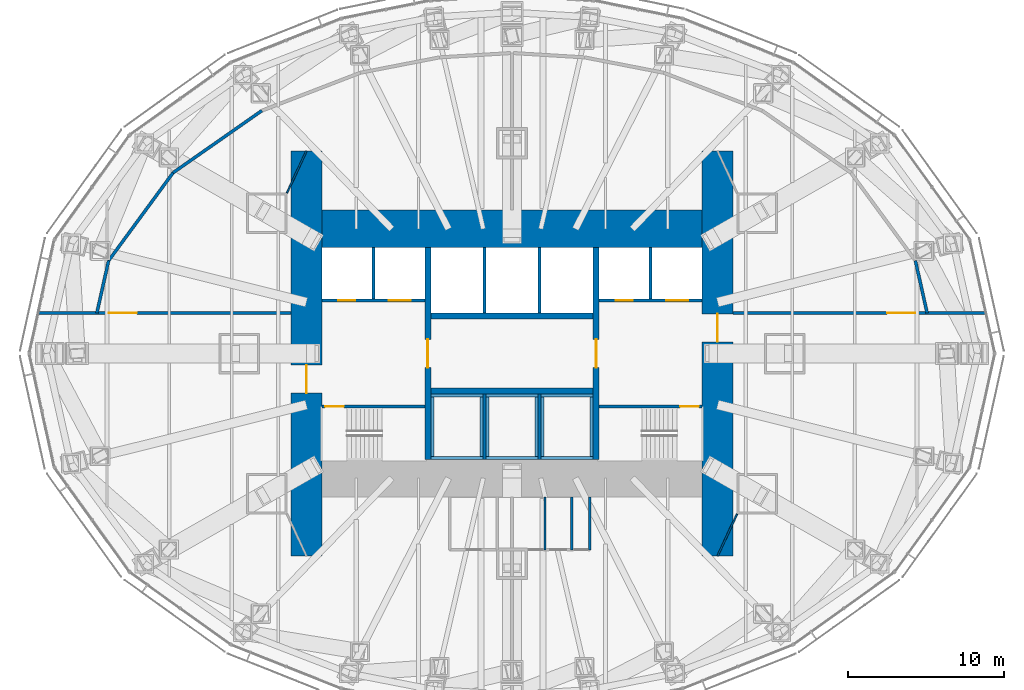
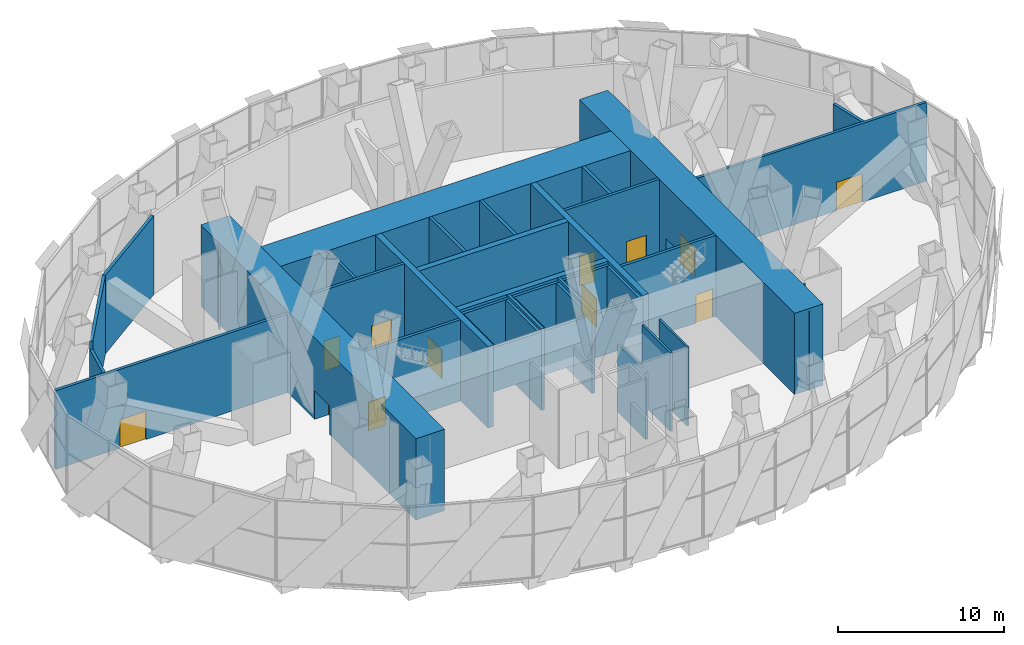
# One storey, part 15 of 21: 40 walls, 12 doors, 12 openings.
"""IFC4 building model written with IfcOpenShell, lengths in metres."""

from ifc_helpers import new_model, si_unit, direction, frame, frame_2d, origin, place, context, subcontext, project, spatial, rectangle, extrude, material, layer, layer_set, type_object, element, fill, save


model = new_model("IFC4")

# Units and contexts
model_context = context("Model", 3, precision=1e-05, world=origin(), true_north=direction((0.0, 1.0)))
body_context = subcontext(model_context, "Body", "Model", "MODEL_VIEW")
ifc_project = project(units=[si_unit("LENGTHUNIT", "METRE"), si_unit("AREAUNIT", "SQUARE_METRE"), si_unit("VOLUMEUNIT", "CUBIC_METRE"), si_unit("PLANEANGLEUNIT", "RADIAN"), si_unit("MASSUNIT", "GRAM", prefix="KILO")], contexts=[model_context])

# Site, building, storey
site_placement = place(None, origin())
site = spatial("IfcSite", under=ifc_project, at=site_placement, CompositionType="ELEMENT")
building_placement = place(site_placement, origin())
building = spatial("IfcBuilding", under=site, at=building_placement, Name="Lantaw Convention Tower", CompositionType="ELEMENT")
storey_placement = place(building_placement, frame((0.0, 0.0, 105.39990234375)))
storey = spatial("IfcBuildingStorey", under=building, at=storey_placement, Name="L25", CompositionType="ELEMENT", Elevation=105.39990234375)

# Wall, opening, door
ifc_material_1 = material(Name="Concrete C60/75", Category="concrete")
ifc_layer_1 = layer(ifc_material_1, 0.199951171875)
ifc_layer_set_1 = layer_set([ifc_layer_1], Name="Core wall 200")
wall_type_1 = type_object("IfcWallType", Name="Core wall 200", PredefinedType="SHEAR", material=ifc_layer_set_1)
wall_1_placement = place(storey_placement, frame((5.60009765625, -3.39990234375, 0.0), z_axis=(0.0, 0.0, 1.0), x_axis=(1.0, 0.0, 0.0)))
wall_1 = element("IfcWall", 1, at=wall_1_placement, inside=storey, type_object=wall_type_1, Name="Core wall ES", PredefinedType="SHEAR", context=body_context, shape_type="SweptSolid", body=[
    extrude(rectangle(XDim=6.599853515625, YDim=0.199951171875, at=frame_2d((3.2998046875, 0.0))), origin(), (0.0, 0.0, 1.0), 6.0),
])
opening_1_placement = place(wall_1_placement, frame((5.199951171875, 0.0, 0.0)))
opening_1 = element("IfcOpeningElement", 2, at=opening_1_placement, cuts=wall_1, Name="Opening L25.03", PredefinedType="OPENING", context=body_context, shape_type="SweptSolid", body=[
    extrude(rectangle(XDim=1.199951171875, YDim=2.10009765625, at=frame_2d((0.60009765625, 1.050048828125))), frame((0.0, 0.10986328125, 0.0), z_axis=(0.0, -1.0, 0.0), x_axis=(1.0, 0.0, 0.0)), (0.0, 0.0, 1.0), 0.219970703125),
])
ifc_material_2 = material(Name="Steel, fire rated", Category="steel")
door_type_1 = type_object("IfcDoorType", Name="Stair door FD90", OperationType="SINGLE_SWING_RIGHT", PredefinedType="DOOR", material=ifc_material_2)
door_1_placement = place(opening_1_placement, origin())
door_1 = element("IfcDoor", 3, at=door_1_placement, inside=storey, type_object=door_type_1, Name="Exit stair door", OperationType="SINGLE_SWING_RIGHT", OverallHeight=2.10009765625, OverallWidth=1.199951171875, PredefinedType="DOOR", context=body_context, shape_type="SweptSolid", body=[
    extrude(rectangle(XDim=1.199951171875, YDim=2.10009765625, at=frame_2d((0.60009765625, 1.050048828125))), frame((0.0, 0.02490234375, 0.0), z_axis=(0.0, -1.0, 0.0), x_axis=(1.0, 0.0, 0.0)), (0.0, 0.0, 1.0), 0.050048828125),
])
fill(opening_1, door_1)

wall_2_placement = place(storey_placement, frame((-5.60009765625, -3.39990234375, 0.0), z_axis=(0.0, 0.0, 1.0), x_axis=(-1.0, 0.0, 0.0)))
wall_2 = element("IfcWall", 4, at=wall_2_placement, inside=storey, type_object=wall_type_1, Name="Core wall WS", PredefinedType="SHEAR", context=body_context, shape_type="SweptSolid", body=[
    extrude(rectangle(XDim=6.599853515625, YDim=0.199951171875, at=frame_2d((3.2998046875, 0.0))), origin(), (0.0, 0.0, 1.0), 6.0),
])
opening_2_placement = place(wall_2_placement, frame((5.199951171875, 0.0, 0.0)))
opening_2 = element("IfcOpeningElement", 5, at=opening_2_placement, cuts=wall_2, Name="Opening L25.04", PredefinedType="OPENING", context=body_context, shape_type="SweptSolid", body=[
    extrude(rectangle(XDim=1.199951171875, YDim=2.10009765625, at=frame_2d((0.60009765625, 1.050048828125))), frame((0.0, 0.10986328125, 0.0), z_axis=(0.0, -1.0, 0.0), x_axis=(1.0, 0.0, 0.0)), (0.0, 0.0, 1.0), 0.219970703125),
])
door_2_placement = place(opening_2_placement, origin())
door_2 = element("IfcDoor", 6, at=door_2_placement, inside=storey, type_object=door_type_1, Name="Exit stair door", OperationType="SINGLE_SWING_RIGHT", OverallHeight=2.10009765625, OverallWidth=1.199951171875, PredefinedType="DOOR", context=body_context, shape_type="SweptSolid", body=[
    extrude(rectangle(XDim=1.199951171875, YDim=2.10009765625, at=frame_2d((0.60009765625, 1.050048828125))), frame((0.0, 0.02490234375, 0.0), z_axis=(0.0, -1.0, 0.0), x_axis=(1.0, 0.0, 0.0)), (0.0, 0.0, 1.0), 0.050048828125),
])
fill(opening_2, door_2)

ifc_layer_2 = layer(ifc_material_1, 2.0)
ifc_layer_set_2 = layer_set([ifc_layer_2], Name="Core wall 2000")
wall_type_2 = type_object("IfcWallType", Name="Core wall 2000", PredefinedType="SHEAR", material=ifc_layer_set_2)
wall_3_placement = place(storey_placement, frame((13.199951171875, -13.0, 0.0), z_axis=(0.0, 0.0, 1.0), x_axis=(0.0, 1.0, 0.0)))
wall_3 = element("IfcWall", 7, at=wall_3_placement, inside=storey, type_object=wall_type_2, Name="Core wall E", PredefinedType="SHEAR", context=body_context, shape_type="SweptSolid", body=[
    extrude(rectangle(XDim=26.0, YDim=2.0, at=frame_2d((13.0, 0.0))), origin(), (0.0, 0.0, 1.0), 6.0),
])
opening_3_placement = place(wall_3_placement, frame((13.75, 0.0, 0.0)))
opening_3 = element("IfcOpeningElement", 8, at=opening_3_placement, cuts=wall_3, Name="Opening L25.05", PredefinedType="OPENING", context=body_context, shape_type="SweptSolid", body=[
    extrude(rectangle(XDim=1.800048828125, YDim=2.10009765625, at=frame_2d((0.89990234375, 1.050048828125))), frame((0.0, 1.010009765625, 0.0), z_axis=(0.0, -1.0, 0.0), x_axis=(1.0, 0.0, 0.0)), (0.0, 0.0, 1.0), 2.02001953125),
])
door_type_2 = type_object("IfcDoorType", Name="Lobby double door FD90", OperationType="DOUBLE_DOOR_DOUBLE_SWING", PredefinedType="DOOR", material=ifc_material_2)
door_3_placement = place(opening_3_placement, origin())
door_3 = element("IfcDoor", 9, at=door_3_placement, inside=storey, type_object=door_type_2, Name="Firefighting lobby door", OperationType="DOUBLE_DOOR_DOUBLE_SWING", OverallHeight=2.10009765625, OverallWidth=1.800048828125, PredefinedType="DOOR", context=body_context, shape_type="SweptSolid", body=[
    extrude(rectangle(XDim=1.800048828125, YDim=2.10009765625, at=frame_2d((0.89990234375, 1.050048828125))), frame((0.0, 0.02490234375, 0.0), z_axis=(0.0, -1.0, 0.0), x_axis=(1.0, 0.0, 0.0)), (0.0, 0.0, 1.0), 0.050048828125),
])
fill(opening_3, door_3)

wall_4_placement = place(storey_placement, frame((-13.199951171875, 13.0, 0.0), z_axis=(0.0, 0.0, 1.0), x_axis=(0.0, -1.0, 0.0)))
wall_4 = element("IfcWall", 10, at=wall_4_placement, inside=storey, type_object=wall_type_2, Name="Core wall W", PredefinedType="SHEAR", context=body_context, shape_type="SweptSolid", body=[
    extrude(rectangle(XDim=26.0, YDim=2.0, at=frame_2d((13.0, 0.0))), origin(), (0.0, 0.0, 1.0), 6.0),
])
opening_4_placement = place(wall_4_placement, frame((13.75, 0.0, 0.0)))
opening_4 = element("IfcOpeningElement", 11, at=opening_4_placement, cuts=wall_4, Name="Opening L25.06", PredefinedType="OPENING", context=body_context, shape_type="SweptSolid", body=[
    extrude(rectangle(XDim=1.800048828125, YDim=2.10009765625, at=frame_2d((0.89990234375, 1.050048828125))), frame((0.0, 1.010009765625, 0.0), z_axis=(0.0, -1.0, 0.0), x_axis=(1.0, 0.0, 0.0)), (0.0, 0.0, 1.0), 2.02001953125),
])
door_4_placement = place(opening_4_placement, origin())
door_4 = element("IfcDoor", 12, at=door_4_placement, inside=storey, type_object=door_type_2, Name="Firefighting lobby door", OperationType="DOUBLE_DOOR_DOUBLE_SWING", OverallHeight=2.10009765625, OverallWidth=1.800048828125, PredefinedType="DOOR", context=body_context, shape_type="SweptSolid", body=[
    extrude(rectangle(XDim=1.800048828125, YDim=2.10009765625, at=frame_2d((0.89990234375, 1.050048828125))), frame((0.0, 0.02490234375, 0.0), z_axis=(0.0, -1.0, 0.0), x_axis=(1.0, 0.0, 0.0)), (0.0, 0.0, 1.0), 0.050048828125),
])
fill(opening_4, door_4)

# Wall
ifc_layer_3 = layer(ifc_material_1, 2.39990234375)
ifc_layer_set_3 = layer_set([ifc_layer_3], Name="Core wall 2400")
wall_type_3 = type_object("IfcWallType", Name="Core wall 2400", PredefinedType="SHEAR", material=ifc_layer_set_3)
wall_5_placement = place(storey_placement, frame((12.199951171875, 8.0, 0.0), z_axis=(0.0, 0.0, 1.0), x_axis=(-1.0, 0.0, 0.0)))
element("IfcWall", 13, at=wall_5_placement, inside=storey, type_object=wall_type_3, Name="Core wall N", PredefinedType="SHEAR", context=body_context, shape_type="SweptSolid", body=[
    extrude(rectangle(XDim=24.39990234375, YDim=2.39990234375, at=frame_2d((12.199951171875, 0.0))), origin(), (0.0, 0.0, 1.0), 6.0),
])

# Wall, opening, door
ifc_layer_4 = layer(ifc_material_1, 0.39990234375)
ifc_layer_set_4 = layer_set([ifc_layer_4], Name="Core wall 400")
wall_type_4 = type_object("IfcWallType", Name="Core wall 400", PredefinedType="SHEAR", material=ifc_layer_set_4)
wall_6_placement = place(storey_placement, frame((5.39990234375, -6.800048828125, 0.0), z_axis=(0.0, 0.0, 1.0), x_axis=(0.0, 1.0, 0.0)))
wall_6 = element("IfcWall", 14, at=wall_6_placement, inside=storey, type_object=wall_type_4, Name="Core wall XE", PredefinedType="SHEAR", context=body_context, shape_type="SweptSolid", body=[
    extrude(rectangle(XDim=13.60009765625, YDim=0.39990234375, at=frame_2d((6.800048828125, 0.0))), origin(), (0.0, 0.0, 1.0), 6.0),
])
opening_5_placement = place(wall_6_placement, frame((5.89990234375, 0.0, 0.0)))
opening_5 = element("IfcOpeningElement", 15, at=opening_5_placement, cuts=wall_6, Name="Opening L25.01", PredefinedType="OPENING", context=body_context, shape_type="SweptSolid", body=[
    extrude(rectangle(XDim=1.800048828125, YDim=2.10009765625, at=frame_2d((0.89990234375, 1.050048828125))), frame((0.0, 0.2099609375, 0.0), z_axis=(0.0, -1.0, 0.0), x_axis=(1.0, 0.0, 0.0)), (0.0, 0.0, 1.0), 0.419921875),
])
door_5_placement = place(opening_5_placement, origin())
door_5 = element("IfcDoor", 16, at=door_5_placement, inside=storey, type_object=door_type_2, Name="Lift lobby door", OperationType="DOUBLE_DOOR_DOUBLE_SWING", OverallHeight=2.10009765625, OverallWidth=1.800048828125, PredefinedType="DOOR", context=body_context, shape_type="SweptSolid", body=[
    extrude(rectangle(XDim=1.800048828125, YDim=2.10009765625, at=frame_2d((0.89990234375, 1.050048828125))), frame((0.0, 0.02490234375, 0.0), z_axis=(0.0, -1.0, 0.0), x_axis=(1.0, 0.0, 0.0)), (0.0, 0.0, 1.0), 0.050048828125),
])
fill(opening_5, door_5)

wall_7_placement = place(storey_placement, frame((-5.39990234375, 6.800048828125, 0.0), z_axis=(0.0, 0.0, 1.0), x_axis=(0.0, -1.0, 0.0)))
wall_7 = element("IfcWall", 17, at=wall_7_placement, inside=storey, type_object=wall_type_4, Name="Core wall XW", PredefinedType="SHEAR", context=body_context, shape_type="SweptSolid", body=[
    extrude(rectangle(XDim=13.60009765625, YDim=0.39990234375, at=frame_2d((6.800048828125, 0.0))), origin(), (0.0, 0.0, 1.0), 6.0),
])
opening_6_placement = place(wall_7_placement, frame((5.89990234375, 0.0, 0.0)))
opening_6 = element("IfcOpeningElement", 18, at=opening_6_placement, cuts=wall_7, Name="Opening L25.02", PredefinedType="OPENING", context=body_context, shape_type="SweptSolid", body=[
    extrude(rectangle(XDim=1.800048828125, YDim=2.10009765625, at=frame_2d((0.89990234375, 1.050048828125))), frame((0.0, 0.2099609375, 0.0), z_axis=(0.0, -1.0, 0.0), x_axis=(1.0, 0.0, 0.0)), (0.0, 0.0, 1.0), 0.419921875),
])
door_6_placement = place(opening_6_placement, origin())
door_6 = element("IfcDoor", 19, at=door_6_placement, inside=storey, type_object=door_type_2, Name="Lift lobby door", OperationType="DOUBLE_DOOR_DOUBLE_SWING", OverallHeight=2.10009765625, OverallWidth=1.800048828125, PredefinedType="DOOR", context=body_context, shape_type="SweptSolid", body=[
    extrude(rectangle(XDim=1.800048828125, YDim=2.10009765625, at=frame_2d((0.89990234375, 1.050048828125))), frame((0.0, 0.02490234375, 0.0), z_axis=(0.0, -1.0, 0.0), x_axis=(1.0, 0.0, 0.0)), (0.0, 0.0, 1.0), 0.050048828125),
])
fill(opening_6, door_6)

# Walls
for number, where, z_axis, x_axis, name in (
    (20, (-5.199951171875, -2.39990234375, 0.0), (0.0, 0.0, 1.0), (1.0, 0.0, 0.0), "Core wall BS"),
    (21, (5.199951171875, 2.39990234375, 0.0), (0.0, 0.0, 1.0), (-1.0, 0.0, 0.0), "Core wall BN"),
):
    element("IfcWall", number, at=place(storey_placement, frame(where, z_axis=z_axis, x_axis=x_axis)), inside=storey, type_object=wall_type_4, Name=name, PredefinedType="SHEAR", context=body_context, shape_type="SweptSolid", body=[
        extrude(rectangle(XDim=10.39990234375, YDim=0.39990234375, at=frame_2d((5.199951171875, 0.0))), origin(), (0.0, 0.0, 1.0), 6.0),
    ])

# Wall, opening, door
ifc_material_3 = material(Name="Concrete blockwork, fire rated", Category="masonry")
ifc_layer_5 = layer(ifc_material_3, 0.199951171875)
ifc_layer_set_5 = layer_set([ifc_layer_5], Name="Fire wall 200 EI 120")
wall_type_5 = type_object("IfcWallType", Name="Fire wall 200 EI 120", PredefinedType="SOLIDWALL", material=ifc_layer_set_5)
wall_8_placement = place(storey_placement, frame((-14.199951171875, 2.60009765625, 0.0), z_axis=(0.0, 0.0, 1.0), x_axis=(-1.0, 0.0, 0.0)))
wall_8 = element("IfcWall", 22, at=wall_8_placement, inside=storey, type_object=wall_type_5, Name="Fire wall 200", PredefinedType="SOLIDWALL", context=body_context, shape_type="SweptSolid", body=[
    extrude(rectangle(XDim=16.171142578125, YDim=0.199951171875, at=frame_2d((8.08544921875, 0.0))), origin(), (0.0, 0.0, 1.0), 5.800048828125),
])
opening_7_placement = place(wall_8_placement, frame((9.87939453125, 0.0, 0.0)))
opening_7 = element("IfcOpeningElement", 23, at=opening_7_placement, cuts=wall_8, Name="Opening L25.15", PredefinedType="OPENING", context=body_context, shape_type="SweptSolid", body=[
    extrude(rectangle(XDim=1.800048828125, YDim=2.10009765625, at=frame_2d((0.89990234375, 1.050048828125))), frame((0.0, 0.10986328125, 0.0), z_axis=(0.0, -1.0, 0.0), x_axis=(1.0, 0.0, 0.0)), (0.0, 0.0, 1.0), 0.219970703125),
])
door_type_3 = type_object("IfcDoorType", Name="Plant room double door FD90", OperationType="DOUBLE_DOOR_DOUBLE_SWING", PredefinedType="DOOR", material=ifc_material_2)
door_7_placement = place(opening_7_placement, origin())
door_7 = element("IfcDoor", 24, at=door_7_placement, inside=storey, type_object=door_type_3, Name="Refuge area door", OperationType="DOUBLE_DOOR_DOUBLE_SWING", OverallHeight=2.10009765625, OverallWidth=1.800048828125, PredefinedType="DOOR", context=body_context, shape_type="SweptSolid", body=[
    extrude(rectangle(XDim=1.800048828125, YDim=2.10009765625, at=frame_2d((0.89990234375, 1.050048828125))), frame((0.0, 0.02490234375, 0.0), z_axis=(0.0, -1.0, 0.0), x_axis=(1.0, 0.0, 0.0)), (0.0, 0.0, 1.0), 0.050048828125),
])
fill(opening_7, door_7)

wall_9_placement = place(storey_placement, frame((14.199951171875, 2.60009765625, 0.0), z_axis=(0.0, 0.0, 1.0), x_axis=(1.0, 0.0, 0.0)))
wall_9 = element("IfcWall", 25, at=wall_9_placement, inside=storey, type_object=wall_type_5, Name="Fire wall 200", PredefinedType="SOLIDWALL", context=body_context, shape_type="SweptSolid", body=[
    extrude(rectangle(XDim=16.171142578125, YDim=0.199951171875, at=frame_2d((8.08544921875, 0.0))), origin(), (0.0, 0.0, 1.0), 5.800048828125),
])
opening_8_placement = place(wall_9_placement, frame((9.87939453125, 0.0, 0.0)))
opening_8 = element("IfcOpeningElement", 26, at=opening_8_placement, cuts=wall_9, Name="Opening L25.16", PredefinedType="OPENING", context=body_context, shape_type="SweptSolid", body=[
    extrude(rectangle(XDim=1.800048828125, YDim=2.10009765625, at=frame_2d((0.89990234375, 1.050048828125))), frame((0.0, 0.10986328125, 0.0), z_axis=(0.0, -1.0, 0.0), x_axis=(1.0, 0.0, 0.0)), (0.0, 0.0, 1.0), 0.219970703125),
])
door_8_placement = place(opening_8_placement, origin())
door_8 = element("IfcDoor", 27, at=door_8_placement, inside=storey, type_object=door_type_3, Name="Refuge area door", OperationType="DOUBLE_DOOR_DOUBLE_SWING", OverallHeight=2.10009765625, OverallWidth=1.800048828125, PredefinedType="DOOR", context=body_context, shape_type="SweptSolid", body=[
    extrude(rectangle(XDim=1.800048828125, YDim=2.10009765625, at=frame_2d((0.89990234375, 1.050048828125))), frame((0.0, 0.02490234375, 0.0), z_axis=(0.0, -1.0, 0.0), x_axis=(1.0, 0.0, 0.0)), (0.0, 0.0, 1.0), 0.050048828125),
])
fill(opening_8, door_8)

# Walls
ifc_material_4 = material(Name="Concrete C40/50", Category="concrete")
ifc_layer_6 = layer(ifc_material_4, 0.199951171875)
ifc_layer_set_6 = layer_set([ifc_layer_6], Name="Lift pit wall 200")
wall_type_6 = type_object("IfcWallType", Name="Lift pit wall 200", PredefinedType="SOLIDWALL", material=ifc_layer_set_6)
wall_10_placement = place(storey_placement, frame((-5.199951171875, -6.699951171875, 2.550048828125), z_axis=(0.0, 0.0, 1.0), x_axis=(1.0, 0.0, 0.0)))
element("IfcWall", 28, at=wall_10_placement, inside=storey, type_object=wall_type_6, Name="Lift pit wall", PredefinedType="SOLIDWALL", context=body_context, shape_type="SweptSolid", body=[
    extrude(rectangle(XDim=3.333251953125, YDim=0.199951171875, at=frame_2d((1.66650390625, 0.0))), origin(), (0.0, 0.0, 1.0), 3.25),
])
wall_11_placement = place(storey_placement, frame((-1.966552734375, -6.60009765625, 2.550048828125), z_axis=(0.0, 0.0, 1.0), x_axis=(0.0, 1.0, 0.0)))
element("IfcWall", 29, at=wall_11_placement, inside=storey, type_object=wall_type_6, Name="Lift pit wall", PredefinedType="SOLIDWALL", context=body_context, shape_type="SweptSolid", body=[
    extrude(rectangle(XDim=3.800048828125, YDim=0.199951171875, at=frame_2d((1.89990234375, 0.0))), origin(), (0.0, 0.0, 1.0), 3.25),
])
wall_12_placement = place(storey_placement, frame((-1.86669921875, -2.699951171875, 2.550048828125), z_axis=(0.0, 0.0, 1.0), x_axis=(-1.0, 0.0, 0.0)))
element("IfcWall", 30, at=wall_12_placement, inside=storey, type_object=wall_type_6, Name="Lift pit wall", PredefinedType="SOLIDWALL", context=body_context, shape_type="SweptSolid", body=[
    extrude(rectangle(XDim=3.333251953125, YDim=0.199951171875, at=frame_2d((1.66650390625, 0.0))), origin(), (0.0, 0.0, 1.0), 3.25),
])
wall_13_placement = place(storey_placement, frame((-5.10009765625, -2.800048828125, 2.550048828125), z_axis=(0.0, 0.0, 1.0), x_axis=(0.0, -1.0, 0.0)))
element("IfcWall", 31, at=wall_13_placement, inside=storey, type_object=wall_type_6, Name="Lift pit wall", PredefinedType="SOLIDWALL", context=body_context, shape_type="SweptSolid", body=[
    extrude(rectangle(XDim=3.800048828125, YDim=0.199951171875, at=frame_2d((1.89990234375, 0.0))), origin(), (0.0, 0.0, 1.0), 3.25),
])
wall_14_placement = place(storey_placement, frame((-1.666748046875, -6.699951171875, 2.550048828125), z_axis=(0.0, 0.0, 1.0), x_axis=(1.0, 0.0, 0.0)))
element("IfcWall", 32, at=wall_14_placement, inside=storey, type_object=wall_type_6, Name="Lift pit wall", PredefinedType="SOLIDWALL", context=body_context, shape_type="SweptSolid", body=[
    extrude(rectangle(XDim=3.33349609375, YDim=0.199951171875, at=frame_2d((1.666748046875, 0.0))), origin(), (0.0, 0.0, 1.0), 3.25),
])
wall_15_placement = place(storey_placement, frame((1.566650390625, -6.60009765625, 2.550048828125), z_axis=(0.0, 0.0, 1.0), x_axis=(0.0, 1.0, 0.0)))
element("IfcWall", 33, at=wall_15_placement, inside=storey, type_object=wall_type_6, Name="Lift pit wall", PredefinedType="SOLIDWALL", context=body_context, shape_type="SweptSolid", body=[
    extrude(rectangle(XDim=3.800048828125, YDim=0.199951171875, at=frame_2d((1.89990234375, 0.0))), origin(), (0.0, 0.0, 1.0), 3.25),
])
wall_16_placement = place(storey_placement, frame((1.666748046875, -2.699951171875, 2.550048828125), z_axis=(0.0, 0.0, 1.0), x_axis=(-1.0, 0.0, 0.0)))
element("IfcWall", 34, at=wall_16_placement, inside=storey, type_object=wall_type_6, Name="Lift pit wall", PredefinedType="SOLIDWALL", context=body_context, shape_type="SweptSolid", body=[
    extrude(rectangle(XDim=3.33349609375, YDim=0.199951171875, at=frame_2d((1.666748046875, 0.0))), origin(), (0.0, 0.0, 1.0), 3.25),
])
wall_17_placement = place(storey_placement, frame((-1.566650390625, -2.800048828125, 2.550048828125), z_axis=(0.0, 0.0, 1.0), x_axis=(0.0, -1.0, 0.0)))
element("IfcWall", 35, at=wall_17_placement, inside=storey, type_object=wall_type_6, Name="Lift pit wall", PredefinedType="SOLIDWALL", context=body_context, shape_type="SweptSolid", body=[
    extrude(rectangle(XDim=3.800048828125, YDim=0.199951171875, at=frame_2d((1.89990234375, 0.0))), origin(), (0.0, 0.0, 1.0), 3.25),
])
wall_18_placement = place(storey_placement, frame((1.86669921875, -6.699951171875, 2.550048828125), z_axis=(0.0, 0.0, 1.0), x_axis=(1.0, 0.0, 0.0)))
element("IfcWall", 36, at=wall_18_placement, inside=storey, type_object=wall_type_6, Name="Lift pit wall", PredefinedType="SOLIDWALL", context=body_context, shape_type="SweptSolid", body=[
    extrude(rectangle(XDim=3.333251953125, YDim=0.199951171875, at=frame_2d((1.66650390625, 0.0))), origin(), (0.0, 0.0, 1.0), 3.25),
])
wall_19_placement = place(storey_placement, frame((5.10009765625, -6.60009765625, 2.550048828125), z_axis=(0.0, 0.0, 1.0), x_axis=(0.0, 1.0, 0.0)))
element("IfcWall", 37, at=wall_19_placement, inside=storey, type_object=wall_type_6, Name="Lift pit wall", PredefinedType="SOLIDWALL", context=body_context, shape_type="SweptSolid", body=[
    extrude(rectangle(XDim=3.800048828125, YDim=0.199951171875, at=frame_2d((1.89990234375, 0.0))), origin(), (0.0, 0.0, 1.0), 3.25),
])
wall_20_placement = place(storey_placement, frame((5.199951171875, -2.699951171875, 2.550048828125), z_axis=(0.0, 0.0, 1.0), x_axis=(-1.0, 0.0, 0.0)))
element("IfcWall", 38, at=wall_20_placement, inside=storey, type_object=wall_type_6, Name="Lift pit wall", PredefinedType="SOLIDWALL", context=body_context, shape_type="SweptSolid", body=[
    extrude(rectangle(XDim=3.333251953125, YDim=0.199951171875, at=frame_2d((1.66650390625, 0.0))), origin(), (0.0, 0.0, 1.0), 3.25),
])
wall_21_placement = place(storey_placement, frame((1.966552734375, -2.800048828125, 2.550048828125), z_axis=(0.0, 0.0, 1.0), x_axis=(0.0, -1.0, 0.0)))
element("IfcWall", 39, at=wall_21_placement, inside=storey, type_object=wall_type_6, Name="Lift pit wall", PredefinedType="SOLIDWALL", context=body_context, shape_type="SweptSolid", body=[
    extrude(rectangle(XDim=3.800048828125, YDim=0.199951171875, at=frame_2d((1.89990234375, 0.0))), origin(), (0.0, 0.0, 1.0), 3.25),
])
ifc_material_5 = material(Name="Gypsum board on steel studs, acoustic", Category="steel")
ifc_layer_7 = layer(ifc_material_5, 0.10009765625)
ifc_layer_set_7 = layer_set([ifc_layer_7], Name="Office partition 100")
wall_type_7 = type_object("IfcWallType", Name="Office partition 100", PredefinedType="PARTITIONING", material=ifc_layer_set_7)
for number, where, z_axis, x_axis, name in (
    (40, (13.199951171875, -13.0, 0.0), (0.0, 0.0, 1.0), (0.420129824888, 0.907464010437, 0.0), "Office partition 100"),
    (41, (-13.199951171875, 13.0, 0.0), (0.0, 0.0, 1.0), (-0.420129824888, -0.907464010437, 0.0), "Office partition 100"),
):
    element("IfcWall", number, at=place(storey_placement, frame(where, z_axis=z_axis, x_axis=x_axis)), inside=storey, type_object=wall_type_7, Name=name, PredefinedType="PARTITIONING", context=body_context, shape_type="SweptSolid", body=[
        extrude(rectangle(XDim=2.975341796875, YDim=0.10009765625, at=frame_2d((1.48779296875, 0.0))), origin(), (0.0, 0.0, 1.0), 5.800048828125),
    ])
ifc_layer_8 = layer(ifc_material_3, 0.199951171875)
ifc_layer_set_8 = layer_set([ifc_layer_8], Name="Plant room wall 200 EI 120")
wall_type_8 = type_object("IfcWallType", Name="Plant room wall 200 EI 120", PredefinedType="SOLIDWALL", material=ifc_layer_set_8)
wall_22_placement = place(storey_placement, frame((-26.6513671875, 2.60009765625, 0.0), z_axis=(0.0, 0.0, 1.0), x_axis=(0.218709129222, 0.975790098738, 0.0)))
element("IfcWall", 42, at=wall_22_placement, inside=storey, type_object=wall_type_8, Name="Plant room wall 200", PredefinedType="SOLIDWALL", context=body_context, shape_type="SweptSolid", body=[
    extrude(rectangle(XDim=3.443603515625, YDim=0.199951171875, at=frame_2d((1.7216796875, 0.0))), origin(), (0.0, 0.0, 1.0), 5.20068359375),
])
wall_23_placement = place(storey_placement, frame((-25.898193359375, 5.96044921875, 0.0), z_axis=(0.0, 0.0, 1.0), x_axis=(0.591227519906, 0.806504816915, 0.0)))
element("IfcWall", 43, at=wall_23_placement, inside=storey, type_object=wall_type_8, Name="Plant room wall 200", PredefinedType="SOLIDWALL", context=body_context, shape_type="SweptSolid", body=[
    extrude(rectangle(XDim=6.997314453125, YDim=0.199951171875, at=frame_2d((3.49853515625, 0.0))), origin(), (0.0, 0.0, 1.0), 5.800048828125),
])
wall_24_placement = place(storey_placement, frame((-21.76123046875, 11.603759765625, 0.0), z_axis=(0.0, 0.0, 1.0), x_axis=(0.819469251484, 0.573123150704, 0.0)))
element("IfcWall", 44, at=wall_24_placement, inside=storey, type_object=wall_type_8, Name="Plant room wall 200", PredefinedType="SOLIDWALL", context=body_context, shape_type="SweptSolid", body=[
    extrude(rectangle(XDim=6.95703125, YDim=0.199951171875, at=frame_2d((3.478515625, 0.0))), origin(), (0.0, 0.0, 1.0), 5.800048828125),
])
wall_25_placement = place(storey_placement, frame((25.898193359375, 5.96044921875, 0.0), z_axis=(0.0, 0.0, 1.0), x_axis=(0.218709129222, -0.975790098738, 0.0)))
element("IfcWall", 45, at=wall_25_placement, inside=storey, type_object=wall_type_8, Name="Plant room wall 200", PredefinedType="SOLIDWALL", context=body_context, shape_type="SweptSolid", body=[
    extrude(rectangle(XDim=3.443603515625, YDim=0.199951171875, at=frame_2d((1.7216796875, 0.0))), origin(), (0.0, 0.0, 1.0), 5.20068359375),
])
ifc_layer_9 = layer(ifc_material_3, 0.199951171875)
ifc_layer_set_9 = layer_set([ifc_layer_9], Name="Shaft wall 200")
wall_type_9 = type_object("IfcWallType", Name="Shaft wall 200", PredefinedType="SOLIDWALL", material=ifc_layer_set_9)
for number, where, z_axis, x_axis, name in (
    (46, (-1.7666015625, 2.60009765625, 0.0), (0.0, 0.0, 1.0), (0.0, 1.0, 0.0), "Shaft wall DN1"),
    (47, (1.7666015625, 2.60009765625, 0.0), (0.0, 0.0, 1.0), (0.0, 1.0, 0.0), "Shaft wall DN2"),
):
    element("IfcWall", number, at=place(storey_placement, frame(where, z_axis=z_axis, x_axis=x_axis)), inside=storey, type_object=wall_type_9, Name=name, PredefinedType="SOLIDWALL", context=body_context, shape_type="SweptSolid", body=[
        extrude(rectangle(XDim=4.199951171875, YDim=0.199951171875, at=frame_2d((2.10009765625, 0.0))), origin(), (0.0, 0.0, 1.0), 6.0),
    ])

# Wall, openings, doors
wall_26_placement = place(storey_placement, frame((12.199951171875, 3.39990234375, 0.0), z_axis=(0.0, 0.0, 1.0), x_axis=(-1.0, 0.0, 0.0)))
wall_26 = element("IfcWall", 48, at=wall_26_placement, inside=storey, type_object=wall_type_9, Name="Shaft wall EN", PredefinedType="SOLIDWALL", context=body_context, shape_type="SweptSolid", body=[
    extrude(rectangle(XDim=6.599853515625, YDim=0.199951171875, at=frame_2d((3.2998046875, 0.0))), origin(), (0.0, 0.0, 1.0), 6.0),
])
opening_9_placement = place(wall_26_placement, frame((4.449951171875, 0.0, 0.0)))
opening_9 = element("IfcOpeningElement", 49, at=opening_9_placement, cuts=wall_26, Name="Opening L25.09", PredefinedType="OPENING", context=body_context, shape_type="SweptSolid", body=[
    extrude(rectangle(XDim=1.10009765625, YDim=2.199951171875, at=frame_2d((0.550048828125, 1.10009765625))), frame((0.0, 0.10986328125, 0.0), z_axis=(0.0, -1.0, 0.0), x_axis=(1.0, 0.0, 0.0)), (0.0, 0.0, 1.0), 0.219970703125),
])
opening_10_placement = place(wall_26_placement, frame((0.89990234375, 0.0, 0.0)))
opening_10 = element("IfcOpeningElement", 50, at=opening_10_placement, cuts=wall_26, Name="Opening L25.10", PredefinedType="OPENING", context=body_context, shape_type="SweptSolid", body=[
    extrude(rectangle(XDim=1.39990234375, YDim=2.199951171875, at=frame_2d((0.699951171875, 1.10009765625))), frame((0.0, 0.10986328125, 0.0), z_axis=(0.0, -1.0, 0.0), x_axis=(1.0, 0.0, 0.0)), (0.0, 0.0, 1.0), 0.219970703125),
])
ifc_material_6 = material(Name="Stainless steel", Category="steel")
door_type_4 = type_object("IfcDoorType", Name="Lift landing door 1100", OperationType="DOUBLE_DOOR_SLIDING", PredefinedType="DOOR", material=ifc_material_6)
door_9_placement = place(opening_9_placement, origin())
door_9 = element("IfcDoor", 51, at=door_9_placement, inside=storey, type_object=door_type_4, Name="Lift landing door FF2", OperationType="DOUBLE_DOOR_SLIDING", OverallHeight=2.199951171875, OverallWidth=1.10009765625, PredefinedType="DOOR", context=body_context, shape_type="SweptSolid", body=[
    extrude(rectangle(XDim=1.10009765625, YDim=2.199951171875, at=frame_2d((0.550048828125, 1.10009765625))), frame((0.0, 0.02490234375, 0.0), z_axis=(0.0, -1.0, 0.0), x_axis=(1.0, 0.0, 0.0)), (0.0, 0.0, 1.0), 0.050048828125),
])
fill(opening_9, door_9)
door_type_5 = type_object("IfcDoorType", Name="Lift landing door 1400", OperationType="DOUBLE_DOOR_SLIDING", PredefinedType="DOOR", material=ifc_material_6)
door_10_placement = place(opening_10_placement, origin())
door_10 = element("IfcDoor", 52, at=door_10_placement, inside=storey, type_object=door_type_5, Name="Lift landing door SV2", OperationType="DOUBLE_DOOR_SLIDING", OverallHeight=2.199951171875, OverallWidth=1.39990234375, PredefinedType="DOOR", context=body_context, shape_type="SweptSolid", body=[
    extrude(rectangle(XDim=1.39990234375, YDim=2.199951171875, at=frame_2d((0.699951171875, 1.10009765625))), frame((0.0, 0.02490234375, 0.0), z_axis=(0.0, -1.0, 0.0), x_axis=(1.0, 0.0, 0.0)), (0.0, 0.0, 1.0), 0.050048828125),
])
fill(opening_10, door_10)

# Wall
wall_27_placement = place(storey_placement, frame((8.89990234375, 3.5, 0.0), z_axis=(0.0, 0.0, 1.0), x_axis=(0.0, 1.0, 0.0)))
element("IfcWall", 53, at=wall_27_placement, inside=storey, type_object=wall_type_9, Name="Shaft wall ED", PredefinedType="SOLIDWALL", context=body_context, shape_type="SweptSolid", body=[
    extrude(rectangle(XDim=3.300048828125, YDim=0.199951171875, at=frame_2d((1.64990234375, 0.0))), origin(), (0.0, 0.0, 1.0), 6.0),
])

# Wall, openings, doors
wall_28_placement = place(storey_placement, frame((-12.199951171875, 3.39990234375, 0.0), z_axis=(0.0, 0.0, 1.0), x_axis=(1.0, 0.0, 0.0)))
wall_28 = element("IfcWall", 54, at=wall_28_placement, inside=storey, type_object=wall_type_9, Name="Shaft wall WN", PredefinedType="SOLIDWALL", context=body_context, shape_type="SweptSolid", body=[
    extrude(rectangle(XDim=6.599853515625, YDim=0.199951171875, at=frame_2d((3.2998046875, 0.0))), origin(), (0.0, 0.0, 1.0), 6.0),
])
opening_11_placement = place(wall_28_placement, frame((1.050048828125, 0.0, 0.0)))
opening_11 = element("IfcOpeningElement", 55, at=opening_11_placement, cuts=wall_28, Name="Opening L25.07", PredefinedType="OPENING", context=body_context, shape_type="SweptSolid", body=[
    extrude(rectangle(XDim=1.10009765625, YDim=2.199951171875, at=frame_2d((0.550048828125, 1.10009765625))), frame((0.0, 0.10986328125, 0.0), z_axis=(0.0, -1.0, 0.0), x_axis=(1.0, 0.0, 0.0)), (0.0, 0.0, 1.0), 0.219970703125),
])
opening_12_placement = place(wall_28_placement, frame((4.300048828125, 0.0, 0.0)))
opening_12 = element("IfcOpeningElement", 56, at=opening_12_placement, cuts=wall_28, Name="Opening L25.08", PredefinedType="OPENING", context=body_context, shape_type="SweptSolid", body=[
    extrude(rectangle(XDim=1.39990234375, YDim=2.199951171875, at=frame_2d((0.699951171875, 1.10009765625))), frame((0.0, 0.10986328125, 0.0), z_axis=(0.0, -1.0, 0.0), x_axis=(1.0, 0.0, 0.0)), (0.0, 0.0, 1.0), 0.219970703125),
])
door_11_placement = place(opening_11_placement, origin())
door_11 = element("IfcDoor", 57, at=door_11_placement, inside=storey, type_object=door_type_4, Name="Lift landing door FF1", OperationType="DOUBLE_DOOR_SLIDING", OverallHeight=2.199951171875, OverallWidth=1.10009765625, PredefinedType="DOOR", context=body_context, shape_type="SweptSolid", body=[
    extrude(rectangle(XDim=1.10009765625, YDim=2.199951171875, at=frame_2d((0.550048828125, 1.10009765625))), frame((0.0, 0.02490234375, 0.0), z_axis=(0.0, -1.0, 0.0), x_axis=(1.0, 0.0, 0.0)), (0.0, 0.0, 1.0), 0.050048828125),
])
fill(opening_11, door_11)
door_12_placement = place(opening_12_placement, origin())
door_12 = element("IfcDoor", 58, at=door_12_placement, inside=storey, type_object=door_type_5, Name="Lift landing door SV1", OperationType="DOUBLE_DOOR_SLIDING", OverallHeight=2.199951171875, OverallWidth=1.39990234375, PredefinedType="DOOR", context=body_context, shape_type="SweptSolid", body=[
    extrude(rectangle(XDim=1.39990234375, YDim=2.199951171875, at=frame_2d((0.699951171875, 1.10009765625))), frame((0.0, 0.02490234375, 0.0), z_axis=(0.0, -1.0, 0.0), x_axis=(1.0, 0.0, 0.0)), (0.0, 0.0, 1.0), 0.050048828125),
])
fill(opening_12, door_12)

# Walls
wall_29_placement = place(storey_placement, frame((-8.89990234375, 3.5, 0.0), z_axis=(0.0, 0.0, 1.0), x_axis=(0.0, 1.0, 0.0)))
element("IfcWall", 59, at=wall_29_placement, inside=storey, type_object=wall_type_9, Name="Shaft wall WD", PredefinedType="SOLIDWALL", context=body_context, shape_type="SweptSolid", body=[
    extrude(rectangle(XDim=3.300048828125, YDim=0.199951171875, at=frame_2d((1.64990234375, 0.0))), origin(), (0.0, 0.0, 1.0), 6.0),
])
ifc_layer_10 = layer(ifc_material_3, 0.199951171875)
ifc_layer_set_10 = layer_set([ifc_layer_10], Name="Shaft wall 200 load-bearing")
wall_type_10 = type_object("IfcWallType", Name="Shaft wall 200 load-bearing", PredefinedType="SOLIDWALL", material=ifc_layer_set_10)
for number, where, z_axis, x_axis, name in (
    (60, (-1.7666015625, -2.60009765625, 0.0), (0.0, 0.0, 1.0), (0.0, -1.0, 0.0), "Shaft wall DS1"),
    (61, (1.7666015625, -2.60009765625, 0.0), (0.0, 0.0, 1.0), (0.0, -1.0, 0.0), "Shaft wall DS2"),
):
    element("IfcWall", number, at=place(storey_placement, frame(where, z_axis=z_axis, x_axis=x_axis)), inside=storey, type_object=wall_type_10, Name=name, PredefinedType="SOLIDWALL", context=body_context, shape_type="SweptSolid", body=[
        extrude(rectangle(XDim=4.199951171875, YDim=0.199951171875, at=frame_2d((2.10009765625, 0.0))), origin(), (0.0, 0.0, 1.0), 6.0),
    ])
ifc_material_7 = material(Name="Concrete blockwork", Category="masonry")
ifc_layer_11 = layer(ifc_material_7, 0.14990234375)
ifc_layer_set_11 = layer_set([ifc_layer_11], Name="WC wall 150")
wall_type_11 = type_object("IfcWallType", Name="WC wall 150", PredefinedType="SOLIDWALL", material=ifc_layer_set_11)
wall_30_placement = place(storey_placement, frame((5.0, -9.199951171875, 0.0), z_axis=(0.0, 0.0, 1.0), x_axis=(0.0, -1.0, 0.0)))
element("IfcWall", 62, at=wall_30_placement, inside=storey, type_object=wall_type_11, Name="WC wall 150", PredefinedType="SOLIDWALL", context=body_context, shape_type="SweptSolid", body=[
    extrude(rectangle(XDim=3.400146484375, YDim=0.14990234375, at=frame_2d((1.7001953125, 0.0))), origin(), (0.0, 0.0, 1.0), 5.800048828125),
])
wall_31_placement = place(storey_placement, frame((2.1201171875, -9.199951171875, 0.0), z_axis=(0.0, 0.0, 1.0), x_axis=(0.0, -1.0, 0.0)))
element("IfcWall", 63, at=wall_31_placement, inside=storey, type_object=wall_type_11, Name="WC wall 150", PredefinedType="SOLIDWALL", context=body_context, shape_type="SweptSolid", body=[
    extrude(rectangle(XDim=3.400146484375, YDim=0.14990234375, at=frame_2d((1.7001953125, 0.0))), origin(), (0.0, 0.0, 1.0), 4.954345703125),
])
wall_32_placement = place(storey_placement, frame((3.830078125, -9.199951171875, 0.0), z_axis=(0.0, 0.0, 1.0), x_axis=(0.0, -1.0, 0.0)))
element("IfcWall", 64, at=wall_32_placement, inside=storey, type_object=wall_type_11, Name="WC wall 150", PredefinedType="SOLIDWALL", context=body_context, shape_type="SweptSolid", body=[
    extrude(rectangle(XDim=3.400146484375, YDim=0.14990234375, at=frame_2d((1.7001953125, 0.0))), origin(), (0.0, 0.0, 1.0), 5.800048828125),
])

save(model, "model.ifc")
